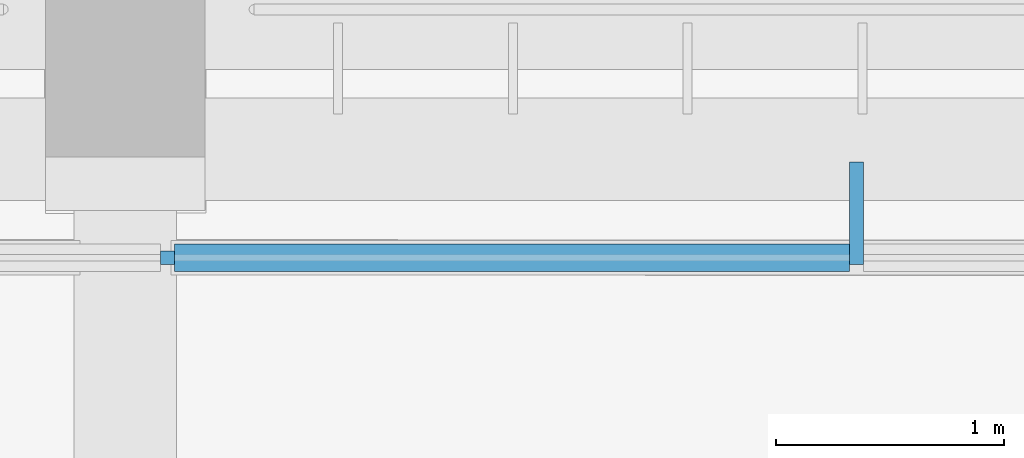
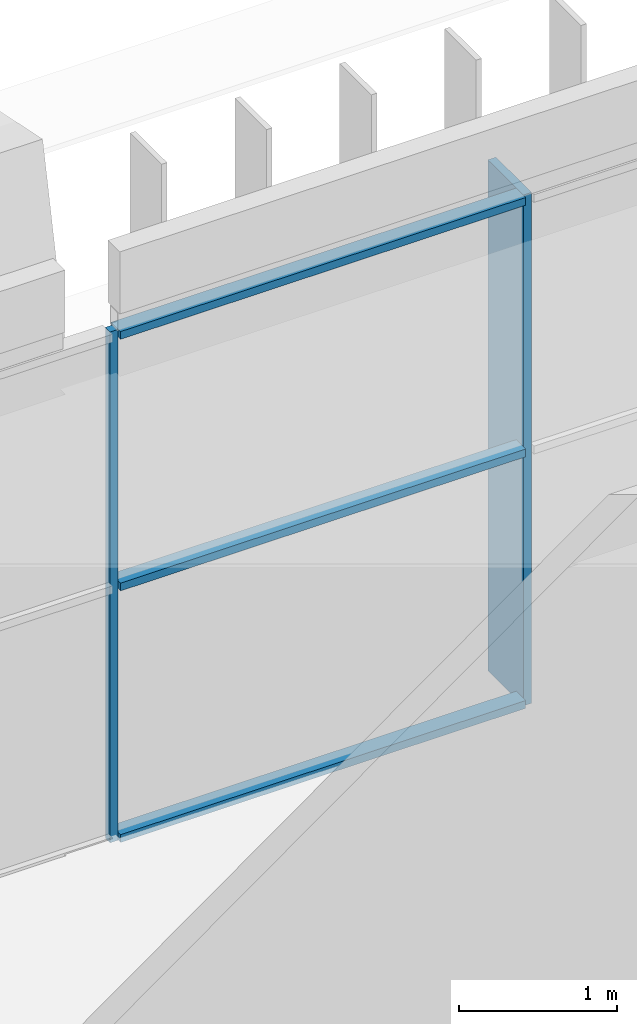
# One storey, part 29 of 74: 5 members, 1 element without a shape of its own.
"""IFC4 building model written with IfcOpenShell, lengths in metres."""

from ifc_helpers import new_model, si_unit, direction, frame, origin, origin_2d, place, context, subcontext, project, spatial, rectangle, extrude, material, material_profile, profile_set, type_object, element, aggregate, save


model = new_model("IFC4")

# Units and contexts
model_context = context("Model", 3, precision=1e-05, world=origin(), true_north=direction((0.0, 1.0)))
body_context = subcontext(model_context, "Body", "Model", "MODEL_VIEW")
ifc_project = project(units=[si_unit("LENGTHUNIT", "METRE"), si_unit("AREAUNIT", "SQUARE_METRE"), si_unit("VOLUMEUNIT", "CUBIC_METRE"), si_unit("PLANEANGLEUNIT", "RADIAN"), si_unit("MASSUNIT", "GRAM", prefix="KILO")], contexts=[model_context])

# Site, building, storey
site_placement = place(None, origin())
site = spatial("IfcSite", under=ifc_project, at=site_placement, CompositionType="ELEMENT")
building_placement = place(site_placement, origin())
building = spatial("IfcBuilding", under=site, at=building_placement, Name="Lantern Court Media Centre", CompositionType="ELEMENT")
storey_placement = place(building_placement, frame((0.0, 0.0, 19.199951171875)))
storey = spatial("IfcBuildingStorey", under=building, at=storey_placement, Name="L04", CompositionType="ELEMENT", Elevation=19.199951171875)

# Curtain wall, members
ifc_material_1 = material(Name="Curtain wall bay 3000")
curtain_wall_type = type_object("IfcCurtainWallType", Name="Curtain wall bay 3000", PredefinedType="NOTDEFINED", material=ifc_material_1)
curtain_wall_placement = place(storey_placement, origin())
curtain_wall = element("IfcCurtainWall", 1, at=curtain_wall_placement, inside=storey, type_object=curtain_wall_type, Name="Curtain wall N outer L04", PredefinedType="NOTDEFINED")
ifc_material_2 = material(Name="Anodised aluminium", Category="aluminium")
ifc_material_profile_1 = material_profile(ifc_material_2, rectangle(XDim=0.449951171875, YDim=0.06005859375, at=origin_2d()), Name="AL 60x450")
ifc_profile_set_1 = profile_set([ifc_material_profile_1], Name="Anodised aluminium")
member_type_1 = type_object("IfcMemberType", Name="Curtain wall mullion 60x450", PredefinedType="MULLION", material=ifc_profile_set_1)
member_1_placement = place(storey_placement, frame((67.207763671875, 115.044921875, 0.0), z_axis=(0.0, 0.0, 1.0), x_axis=(0.0, 1.0, 0.0)))
member_1 = element("IfcMember", 2, at=member_1_placement, type_object=member_type_1, Name="CW1 mullion 10", PredefinedType="MULLION", context=body_context, shape_type="SweptSolid", body=[
    extrude(rectangle(XDim=0.449951171875, YDim=0.06005859375, at=origin_2d()), origin(), (0.0, 0.0, 1.0), 3.949951171875),
])
ifc_material_profile_2 = material_profile(ifc_material_2, rectangle(XDim=0.06005859375, YDim=0.06005859375, at=origin_2d()), Name="AL 60x60")
ifc_profile_set_2 = profile_set([ifc_material_profile_2], Name="Anodised aluminium")
member_type_2 = type_object("IfcMemberType", Name="Curtain wall mullion 60x60", PredefinedType="MULLION", material=ifc_profile_set_2)
member_2_placement = place(storey_placement, frame((64.1845703125, 114.85009765625, 0.0), z_axis=(0.0, 0.0, 1.0), x_axis=(0.0, 1.0, 0.0)))
member_2 = element("IfcMember", 3, at=member_2_placement, type_object=member_type_2, Name="CW1 mullion 9", PredefinedType="MULLION", context=body_context, shape_type="SweptSolid", body=[
    extrude(rectangle(XDim=0.06005859375, YDim=0.06005859375, at=origin_2d()), origin(), (0.0, 0.0, 1.0), 3.949951171875),
])
ifc_material_profile_3 = material_profile(ifc_material_2, rectangle(XDim=0.1201171875, YDim=0.06005859375, at=origin_2d()), Name="AL 60x120")
ifc_profile_set_3 = profile_set([ifc_material_profile_3], Name="Anodised aluminium")
member_type_3 = type_object("IfcMemberType", Name="Curtain wall transom 60x120", PredefinedType="USERDEFINED", material=ifc_profile_set_3)
member_3_placement = place(storey_placement, frame((64.214599609375, 114.85009765625, 0.030029296875), z_axis=(1.0, 0.0, 0.0), x_axis=(0.0, 1.0, 0.0)))
member_3 = element("IfcMember", 4, at=member_3_placement, type_object=member_type_3, Name="CW1 transom 9.1", ObjectType="TRANSOM", PredefinedType="USERDEFINED", context=body_context, shape_type="SweptSolid", body=[
    extrude(rectangle(XDim=0.1201171875, YDim=0.06005859375, at=origin_2d()), origin(), (0.0, 0.0, 1.0), 2.963134765625),
])
member_4_placement = place(storey_placement, frame((64.214599609375, 114.85009765625, 1.97509765625), z_axis=(1.0, 0.0, 0.0), x_axis=(0.0, 1.0, 0.0)))
member_4 = element("IfcMember", 5, at=member_4_placement, type_object=member_type_3, Name="CW1 transom 9.2", ObjectType="TRANSOM", PredefinedType="USERDEFINED", context=body_context, shape_type="SweptSolid", body=[
    extrude(rectangle(XDim=0.1201171875, YDim=0.06005859375, at=origin_2d()), origin(), (0.0, 0.0, 1.0), 2.963134765625),
])
member_5_placement = place(storey_placement, frame((64.214599609375, 114.85009765625, 3.920166015625), z_axis=(1.0, 0.0, 0.0), x_axis=(0.0, 1.0, 0.0)))
member_5 = element("IfcMember", 6, at=member_5_placement, type_object=member_type_3, Name="CW1 transom 9.3", ObjectType="TRANSOM", PredefinedType="USERDEFINED", context=body_context, shape_type="SweptSolid", body=[
    extrude(rectangle(XDim=0.1201171875, YDim=0.06005859375, at=origin_2d()), origin(), (0.0, 0.0, 1.0), 2.963134765625),
])
aggregate(curtain_wall, [member_2, member_1, member_3, member_4, member_5])

save(model, "model.ifc")
